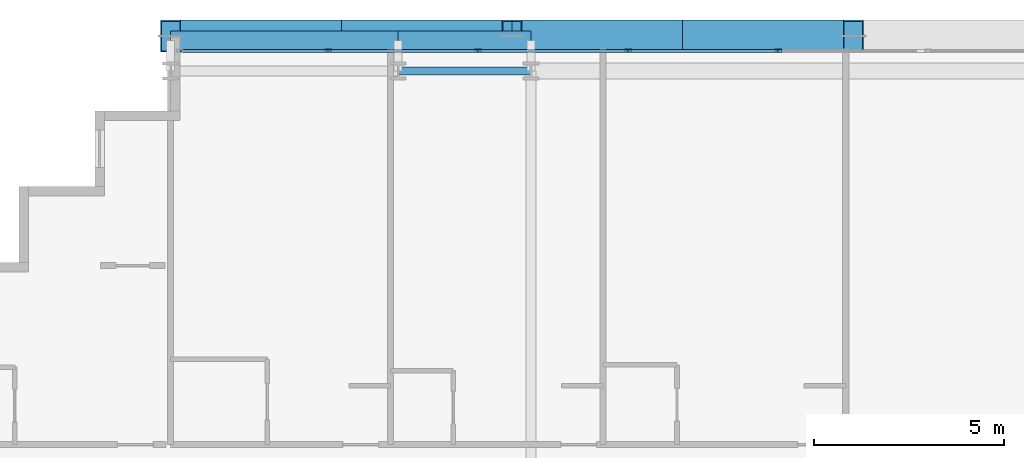
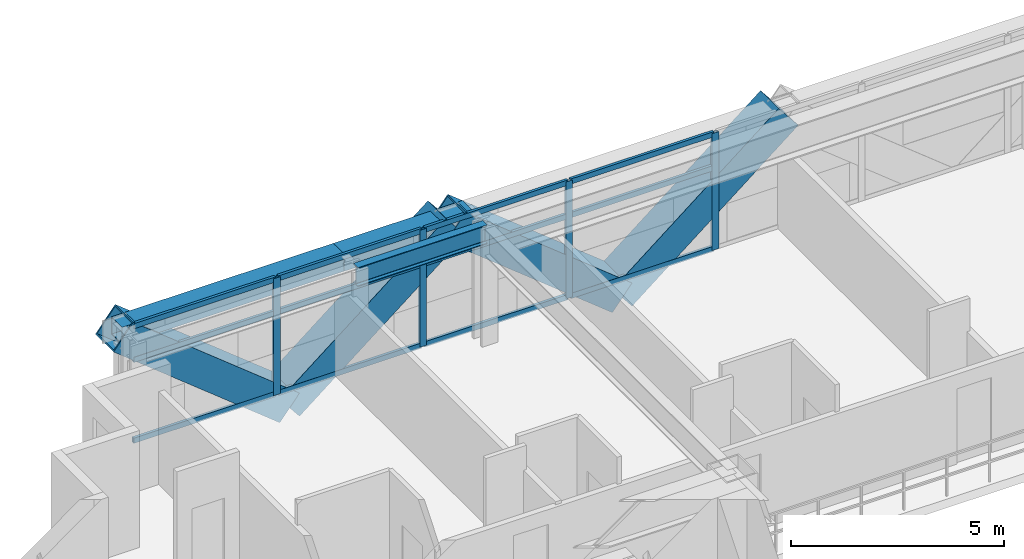
# One storey, part 18 of 38: 20 members, 3 beams, 1 element without a shape of its own.
"""IFC4 building model written with IfcOpenShell, lengths in metres."""

import ifcopenshell
import ifcopenshell.guid

model = None  # the IFC model being written
_history = None  # IfcOwnerHistory: only IFC2X3 demands one
_inside = {}  # id of a spatial element -> (the spatial element, [elements in it])
_under = {}  # id of a project, library or spatial element -> (it, [spatial elements below it])
_declared = {}  # id of a project -> (the project, [libraries it declares])
_typed = {}  # id of a type object -> (the type object, [elements of that type])
_made_of = {}  # id of a material, layer set ... -> (it, [elements and type objects made of it])


def new_model(schema):
    """Start an empty IFC model of exactly this schema.

    Asked for "IFC4X3", IfcOpenShell would pick the latest addendum, in which some entities
    have other attributes; the version numbers below select the first issue.
    IFC2X3 requires an IfcOwnerHistory on every rooted entity: one is made here for all.
    """
    global model, _history
    if schema == "IFC4X3":
        model = ifcopenshell.file(schema_version=(4, 3, 0, 0))
    else:
        model = ifcopenshell.file(schema=schema)
    _inside.clear()
    _under.clear()
    _declared.clear()
    _typed.clear()
    _made_of.clear()
    _history = None
    if model.schema == "IFC2X3":
        org = make("IfcOrganization", Name="unknown")
        user = make(
            "IfcPersonAndOrganization",
            ThePerson=make("IfcPerson", FamilyName="unknown"),
            TheOrganization=org,
        )
        app = make(
            "IfcApplication",
            ApplicationDeveloper=org,
            Version="unknown",
            ApplicationFullName="unknown",
            ApplicationIdentifier="unknown",
        )
        _history = make(
            "IfcOwnerHistory",
            OwningUser=user,
            OwningApplication=app,
            ChangeAction="ADDED",
            CreationDate=0,
        )
    return model


def make(cls, **values):
    """One entity of the class cls with the attributes given. An attribute that is None is left unset."""
    return model.create_entity(
        cls, **{name: value for name, value in values.items() if value is not None}
    )


def rooted(cls, **values):
    """An entity with a GlobalId (a new one), such as an element, a storey or a relation."""
    return make(cls, GlobalId=ifcopenshell.guid.new(), OwnerHistory=_history, **values)


def si_unit(unit_type, name, prefix=None):
    """IfcSIUnit, for example si_unit("LENGTHUNIT", "METRE", prefix="MILLI")."""
    return make("IfcSIUnit", UnitType=unit_type, Prefix=prefix, Name=name)


def assignment(units):
    """IfcUnitAssignment: the units of a project."""
    return None if units is None else make("IfcUnitAssignment", Units=units)


def point(xyz):
    """IfcCartesianPoint."""
    return None if xyz is None else make("IfcCartesianPoint", Coordinates=xyz)


def direction(xyz):
    """IfcDirection."""
    return None if xyz is None else make("IfcDirection", DirectionRatios=xyz)


def frame(location, z_axis=None, x_axis=None):
    """IfcAxis2Placement3D, a coordinate frame: its origin and axes. An axis left out is left unset."""
    return make(
        "IfcAxis2Placement3D",
        Location=point(location),
        Axis=direction(z_axis),
        RefDirection=direction(x_axis),
    )


def frame_2d(location, x_axis=None):
    """IfcAxis2Placement2D, a coordinate frame in the plane: its origin and x axis."""
    return make(
        "IfcAxis2Placement2D", Location=point(location), RefDirection=direction(x_axis)
    )


def origin():
    """The frame at (0, 0, 0) with its axes left unset."""
    return frame((0.0, 0.0, 0.0))


def origin_2d():
    """The frame at (0, 0) in the plane with its x axis left unset."""
    return frame_2d((0.0, 0.0))


def place(relative_to, where):
    """IfcLocalPlacement: puts the frame where relative to a parent placement (None: the world)."""
    return make(
        "IfcLocalPlacement", PlacementRelTo=relative_to, RelativePlacement=where
    )


def context(
    kind, dimensions, precision=None, world=None, true_north=None, identifier=None
):
    """IfcGeometricRepresentationContext, for example the 3D "Model" context."""
    return make(
        "IfcGeometricRepresentationContext",
        ContextIdentifier=identifier,
        ContextType=kind,
        CoordinateSpaceDimension=dimensions,
        Precision=precision,
        WorldCoordinateSystem=world,
        TrueNorth=true_north,
    )


def subcontext(parent, identifier, kind, view, scale=None):
    """IfcGeometricRepresentationSubContext, for example "Body" below "Model"."""
    return make(
        "IfcGeometricRepresentationSubContext",
        ContextIdentifier=identifier,
        ContextType=kind,
        ParentContext=parent,
        TargetScale=scale,
        TargetView=view,
    )


def project(units=None, contexts=None):
    """IfcProject with its units and contexts."""
    return rooted(
        "IfcProject",
        Name="project",
        RepresentationContexts=contexts,
        UnitsInContext=assignment(units),
    )


def spatial(cls, under=None, at=None, **own):
    """A site, building, storey or space (cls), placed at a placement, below another one or the project."""
    s = rooted(cls, ObjectPlacement=at, **own)
    if under is not None:
        _under.setdefault(under.id(), (under, []))[1].append(s)
    return s


def profile(cls, at=None, kind="AREA", **sizes):
    """A parametric profile (cls). Its sizes go by their IFC names, for example OverallWidth=200.0."""
    return make(cls, ProfileType=kind, Position=at, **sizes)


def hollow_rectangle(**sizes):
    """IfcRectangleHollowProfileDef."""
    return profile("IfcRectangleHollowProfileDef", **sizes)


def i_section(**sizes):
    """IfcIShapeProfileDef."""
    return profile("IfcIShapeProfileDef", **sizes)


def extrude(swept, where, along, depth):
    """IfcExtrudedAreaSolid: the profile swept, set in the frame where, extruded along a direction by depth."""
    return make(
        "IfcExtrudedAreaSolid",
        SweptArea=swept,
        Position=where,
        ExtrudedDirection=direction(along),
        Depth=depth,
    )


def shape(context_of_items, identifier, shape_type, items):
    """IfcShapeRepresentation: the items that make up one representation, for example the "Body"."""
    return make(
        "IfcShapeRepresentation",
        ContextOfItems=context_of_items,
        RepresentationIdentifier=identifier,
        RepresentationType=shape_type,
        Items=items,
    )


def source(mapping_origin, context_of_items, identifier, shape_type, items):
    """IfcRepresentationMap: a shape defined once, which mapped items show again and again."""
    return make(
        "IfcRepresentationMap",
        MappingOrigin=mapping_origin,
        MappedRepresentation=shape(context_of_items, identifier, shape_type, items),
    )


def transform(
    local_origin,
    x_axis=None,
    y_axis=None,
    z_axis=None,
    scale=None,
    scale2=None,
    scale3=None,
    uniform=True,
):
    """IfcCartesianTransformationOperator3D, or its non-uniform kind. x_axis, y_axis, z_axis: its Axis1, 2, 3."""
    if uniform:
        return make(
            "IfcCartesianTransformationOperator3D",
            Axis1=direction(x_axis),
            Axis2=direction(y_axis),
            LocalOrigin=point(local_origin),
            Scale=scale,
            Axis3=direction(z_axis),
        )
    return make(
        "IfcCartesianTransformationOperator3DnonUniform",
        Axis1=direction(x_axis),
        Axis2=direction(y_axis),
        LocalOrigin=point(local_origin),
        Scale=scale,
        Axis3=direction(z_axis),
        Scale2=scale2,
        Scale3=scale3,
    )


def mapped(mapping_source, mapping_target):
    """IfcMappedItem: shows the shape of a source again, moved by a transform."""
    return make(
        "IfcMappedItem", MappingSource=mapping_source, MappingTarget=mapping_target
    )


def material(Name=None, Category=None):
    """IfcMaterial."""
    return make("IfcMaterial", Name=Name, Category=Category)


def layer(
    of_material, thickness, ventilated=None, Name=None, Category=None, Priority=None
):
    """IfcMaterialLayer: one layer of a wall or slab, of a material (None: an air gap)."""
    return make(
        "IfcMaterialLayer",
        Material=of_material,
        LayerThickness=thickness,
        IsVentilated=ventilated,
        Name=Name,
        Category=Category,
        Priority=Priority,
    )


def layer_set(layers, Name=None):
    """IfcMaterialLayerSet."""
    return make("IfcMaterialLayerSet", MaterialLayers=layers, LayerSetName=Name)


def material_profile(
    of_material, cross_section, Name=None, Category=None, Priority=None
):
    """IfcMaterialProfile: a cross section and its material."""
    return make(
        "IfcMaterialProfile",
        Name=Name,
        Material=of_material,
        Profile=cross_section,
        Priority=Priority,
        Category=Category,
    )


def profile_set(profiles, Name=None, composite=None):
    """IfcMaterialProfileSet."""
    return make(
        "IfcMaterialProfileSet",
        Name=Name,
        MaterialProfiles=profiles,
        CompositeProfile=composite,
    )


def made_of(thing, what):
    """Note that an element or type object is made of a material, layer set ...; save() writes the relation."""
    if what is not None:
        _made_of.setdefault(what.id(), (what, []))[1].append(thing)
    return thing


def type_object(cls, material=None, **own):
    """A type object (cls), such as IfcWallType, which elements share."""
    return made_of(rooted(cls, **own), material)


def element(
    cls,
    number,
    at=None,
    inside=None,
    cuts=None,
    type_object=None,
    material=None,
    context=None,
    identifier="Body",
    shape_type=None,
    held_by="IfcProductDefinitionShape",
    body=None,
    shapes=None,
    **own,
):
    """One element of the class cls, such as IfcWall. Its Tag is "e" and its number.

    at: its placement. inside: the storey or other place that contains it. cuts: it is an
    opening in that element (IfcRelVoidsElement). A single representation is given by context,
    identifier, shape_type and body (its items); several are given by shapes. held_by: the class
    of the entity that holds the representations. save() writes the other relations.
    """
    e = rooted(cls, Tag="e%d" % number, ObjectPlacement=at, **own)
    if body is not None:
        shapes = [shape(context, identifier, shape_type, body)]
    if shapes is not None:
        e.Representation = make(held_by, Representations=shapes)
    if inside is not None:
        _inside.setdefault(inside.id(), (inside, []))[1].append(e)
    if cuts is not None:
        rooted(
            "IfcRelVoidsElement", RelatingBuildingElement=cuts, RelatedOpeningElement=e
        )
    if type_object is not None:
        _typed.setdefault(type_object.id(), (type_object, []))[1].append(e)
    return made_of(e, material)


def aggregate(whole, parts):
    """IfcRelAggregates: a whole, such as a stair, and the parts it consists of."""
    return rooted("IfcRelAggregates", RelatingObject=whole, RelatedObjects=parts)


def save(model, path):
    """Write the relations noted so far, then the file.

    IfcRelAggregates (storeys below a building ...), IfcRelContainedInSpatialStructure (elements
    in a storey), IfcRelDefinesByType, IfcRelAssociatesMaterial and IfcRelDeclares: one each for
    every whole, place, type object, material and project.
    """
    for whole, parts in _under.values():
        aggregate(whole, parts)
    for where, things in _inside.values():
        rooted(
            "IfcRelContainedInSpatialStructure",
            RelatedElements=things,
            RelatingStructure=where,
        )
    for kind, things in _typed.values():
        rooted("IfcRelDefinesByType", RelatedObjects=things, RelatingType=kind)
    for what, things in _made_of.values():
        rooted("IfcRelAssociatesMaterial", RelatedObjects=things, RelatingMaterial=what)
    for by, libraries in _declared.values():
        rooted("IfcRelDeclares", RelatingContext=by, RelatedDefinitions=libraries)
    model.write(path)


model = new_model("IFC4")

# Units and contexts
model_context = context("Model", 3, precision=1e-05, world=origin(), true_north=direction((0.0, 1.0)))
body_context = subcontext(model_context, "Body", "Model", "MODEL_VIEW")
ifc_project = project(units=[si_unit("LENGTHUNIT", "METRE"), si_unit("AREAUNIT", "SQUARE_METRE"), si_unit("VOLUMEUNIT", "CUBIC_METRE"), si_unit("PLANEANGLEUNIT", "RADIAN"), si_unit("MASSUNIT", "GRAM", prefix="KILO")], contexts=[model_context])

# Site, building, storey
site_placement = place(None, origin())
site = spatial("IfcSite", under=ifc_project, at=site_placement, CompositionType="ELEMENT")
building_placement = place(site_placement, origin())
building = spatial("IfcBuilding", under=site, at=building_placement, Name="Ocotamira Hotel", CompositionType="ELEMENT")
storey_placement = place(building_placement, frame((0.0, 0.0, 45.60009765625)))
storey = spatial("IfcBuildingStorey", under=building, at=storey_placement, Name="L10", CompositionType="ELEMENT", Elevation=45.60009765625)

# Beams
ifc_material_1 = material(Name="Steel ASTM A992 Grade 50", Category="steel")
ifc_material_profile_1 = material_profile(ifc_material_1, i_section(OverallWidth=0.2099609375, OverallDepth=0.537109375, WebThickness=0.010986328125, FlangeThickness=0.017333984375, FilletRadius=0.012939453125, at=origin_2d()), Name="W21X68")
ifc_profile_set_1 = profile_set([ifc_material_profile_1], Name="Steel ASTM A992 Grade 50")
beam_type_1 = type_object("IfcBeamType", Name="BM-SEC-W21X68", PredefinedType="JOIST", material=ifc_profile_set_1)
shared_shape_1 = source(origin(), body_context, "Body", "SweptSolid", [
    extrude(i_section(OverallWidth=0.2099609375, OverallDepth=0.537109375, WebThickness=0.010986328125, FlangeThickness=0.017333984375, FilletRadius=0.012939453125, at=origin_2d()), origin(), (0.0, 0.0, 1.0), 3.5),
])
beam_1_placement = place(storey_placement, frame((20.0, 49.050048828125, 3.081298828125), z_axis=(1.0, 0.0, 0.0), x_axis=(0.0, 1.0, 0.0)))
element("IfcBeam", 1, at=beam_1_placement, inside=storey, type_object=beam_type_1, Name="L10 Girder Y49.05 X20-23.5", PredefinedType="JOIST", context=body_context, shape_type="MappedRepresentation", body=[
    mapped(shared_shape_1, transform((0.0, 0.0, 0.0), scale=1.0)),
])
ifc_material_2 = material(Name="Steel ASTM A500 Grade C", Category="steel")
ifc_material_profile_2 = material_profile(ifc_material_2, hollow_rectangle(XDim=0.5, YDim=0.5, WallThickness=0.02001953125, at=origin_2d()), Name="HSS500X500X20")
ifc_profile_set_2 = profile_set([ifc_material_profile_2], Name="Steel ASTM A500 Grade C")
beam_type_2 = type_object("IfcBeamType", Name="BM-SPAN-HSS500", PredefinedType="USERDEFINED", material=ifc_profile_set_2)
shared_shape_2 = source(origin(), body_context, "Body", "SweptSolid", [
    extrude(hollow_rectangle(XDim=0.5, YDim=0.5, WallThickness=0.02001953125, at=origin_2d()), origin(), (0.0, 0.0, 1.0), 6.0),
])
beam_2_placement = place(storey_placement, frame((14.0, 49.85009765625, 3.099853515625), z_axis=(1.0, 0.0, 0.0), x_axis=(0.0, 1.0, 0.0)))
element("IfcBeam", 2, at=beam_2_placement, inside=storey, type_object=beam_type_2, Name="L10 Edge Spandrel N X14-20", ObjectType="SPANDREL", PredefinedType="USERDEFINED", context=body_context, shape_type="MappedRepresentation", body=[
    mapped(shared_shape_2, transform((0.0, 0.0, 0.0), scale=1.0)),
])
shared_shape_3 = source(origin(), body_context, "Body", "SweptSolid", [
    extrude(hollow_rectangle(XDim=0.5, YDim=0.5, WallThickness=0.02001953125, at=origin_2d()), origin(), (0.0, 0.0, 1.0), 3.5),
])
beam_3_placement = place(storey_placement, frame((20.0, 49.85009765625, 3.099853515625), z_axis=(1.0, 0.0, 0.0), x_axis=(0.0, 1.0, 0.0)))
element("IfcBeam", 3, at=beam_3_placement, inside=storey, type_object=beam_type_2, Name="L10 Edge Spandrel N X20-23.5", ObjectType="SPANDREL", PredefinedType="USERDEFINED", context=body_context, shape_type="MappedRepresentation", body=[
    mapped(shared_shape_3, transform((0.0, 0.0, 0.0), scale=1.0)),
])

# Members
ifc_material_3 = material(Name="Pale-metal coated steel ASTM A913 Grade 65", Category="steel")
ifc_material_profile_3 = material_profile(ifc_material_3, hollow_rectangle(XDim=0.85009765625, YDim=0.85009765625, WallThickness=0.035888671875, at=origin_2d()), Name="BOX850X850X36")
ifc_profile_set_3 = profile_set([ifc_material_profile_3], Name="Pale-metal coated steel ASTM A913 Grade 65")
member_type_1 = type_object("IfcMemberType", Name="MEM-EXO-BOX850", PredefinedType="BRACE", material=ifc_profile_set_3)
shared_shape_4 = source(origin(), body_context, "Body", "SweptSolid", [
    extrude(hollow_rectangle(XDim=0.85009765625, YDim=0.85009765625, WallThickness=0.035888671875, at=origin_2d()), origin(), (0.0, 0.0, 1.0), 5.7626953125),
])
for number, where, z_axis, x_axis, name in (
    (4, (18.5, 49.969970703125, -0.5), (-0.780881208953, 0.0, 0.624679547852), (0.0, -1.0, 0.0), "L10 Exoskeleton Diagrid N0.1"),
    (5, (18.5, 49.969970703125, -0.5), (0.780881208953, 0.0, 0.624679547852), (0.0, 1.0, 0.0), "L10 Exoskeleton Diagrid N0.2"),
    (6, (27.5, 49.969970703125, -0.5), (-0.780881208953, 0.0, 0.624679547852), (0.0, -1.0, 0.0), "L10 Exoskeleton Diagrid N1.1"),
    (7, (27.5, 49.969970703125, -0.5), (0.780881208953, 0.0, 0.624679547852), (0.0, 1.0, 0.0), "L10 Exoskeleton Diagrid N1.2"),
):
    element("IfcMember", number, at=place(storey_placement, frame(where, z_axis=z_axis, x_axis=x_axis)), inside=storey, type_object=member_type_1, Name=name, PredefinedType="BRACE", context=body_context, shape_type="MappedRepresentation", body=[
        mapped(shared_shape_4, transform((0.0, 0.0, 0.0), scale=1.0)),
    ])

# Curtain wall, members
ifc_material_4 = material(Name="Anodised pale-metal aluminium and solar glass", Category="aluminium")
ifc_layer = layer(ifc_material_4, 0.179931640625)
ifc_layer_set = layer_set([ifc_layer], Name="Anodised pale-metal aluminium and solar glass")
curtain_wall_type = type_object("IfcCurtainWallType", Name="CW-SYS2-Z1", PredefinedType="NOTDEFINED", material=ifc_layer_set)
curtain_wall_placement = place(storey_placement, origin())
curtain_wall = element("IfcCurtainWall", 8, at=curtain_wall_placement, inside=storey, type_object=curtain_wall_type, Name="L10 Curtain Wall CW-2 CW-L10-N", PredefinedType="NOTDEFINED")
ifc_material_5 = material(Name="Anodised pale-metal aluminium 6063-T6", Category="aluminium")
ifc_material_profile_4 = material_profile(ifc_material_5, hollow_rectangle(XDim=0.080078125, YDim=0.179931640625, WallThickness=0.006103515625, at=origin_2d()), Name="HSS180X80X6")
ifc_profile_set_4 = profile_set([ifc_material_profile_4], Name="Anodised pale-metal aluminium 6063-T6")
member_type_2 = type_object("IfcMemberType", Name="CWM-180X75", PredefinedType="MULLION", material=ifc_profile_set_4)
shared_shape_5 = source(origin(), body_context, "Body", "SweptSolid", [
    extrude(hollow_rectangle(XDim=0.080078125, YDim=0.179931640625, WallThickness=0.006103515625, at=origin_2d()), origin(), (0.0, 0.0, 1.0), 3.349853515625),
])
member_1_placement = place(storey_placement, frame((18.155517578125, 49.580078125, 0.0), z_axis=(0.0, 0.0, 1.0), x_axis=(0.0, 1.0, 0.0)))
member_1 = element("IfcMember", 9, at=member_1_placement, type_object=member_type_2, Name="CW-2 mullion 2", PredefinedType="MULLION", context=body_context, shape_type="MappedRepresentation", body=[
    mapped(shared_shape_5, transform((0.0, 0.0, 0.0), scale=1.0)),
])
member_2_placement = place(storey_placement, frame((22.111083984375, 49.580078125, 0.0), z_axis=(0.0, 0.0, 1.0), x_axis=(0.0, 1.0, 0.0)))
member_2 = element("IfcMember", 10, at=member_2_placement, type_object=member_type_2, Name="CW-2 mullion 3", PredefinedType="MULLION", context=body_context, shape_type="MappedRepresentation", body=[
    mapped(shared_shape_5, transform((0.0, 0.0, 0.0), scale=1.0)),
])
member_3_placement = place(storey_placement, frame((26.066650390625, 49.580078125, 0.0), z_axis=(0.0, 0.0, 1.0), x_axis=(0.0, 1.0, 0.0)))
member_3 = element("IfcMember", 11, at=member_3_placement, type_object=member_type_2, Name="CW-2 mullion 4", PredefinedType="MULLION", context=body_context, shape_type="MappedRepresentation", body=[
    mapped(shared_shape_5, transform((0.0, 0.0, 0.0), scale=1.0)),
])
member_4_placement = place(storey_placement, frame((30.022216796875, 49.580078125, 0.0), z_axis=(0.0, 0.0, 1.0), x_axis=(0.0, 1.0, 0.0)))
member_4 = element("IfcMember", 12, at=member_4_placement, type_object=member_type_2, Name="CW-2 mullion 5", PredefinedType="MULLION", context=body_context, shape_type="MappedRepresentation", body=[
    mapped(shared_shape_5, transform((0.0, 0.0, 0.0), scale=1.0)),
])
ifc_material_profile_5 = material_profile(ifc_material_5, hollow_rectangle(XDim=0.074951171875, YDim=0.14990234375, WallThickness=0.006103515625, at=origin_2d()), Name="HSS150X75X6")
ifc_profile_set_5 = profile_set([ifc_material_profile_5], Name="Anodised pale-metal aluminium 6063-T6")
member_type_3 = type_object("IfcMemberType", Name="CWT-150X75", PredefinedType="USERDEFINED", material=ifc_profile_set_5)
shared_shape_6 = source(origin(), body_context, "Body", "SweptSolid", [
    extrude(hollow_rectangle(XDim=0.074951171875, YDim=0.14990234375, WallThickness=0.006103515625, at=origin_2d()), origin(), (0.0, 0.0, 1.0), 3.83544921875),
])
member_5_placement = place(storey_placement, frame((14.280029296875, 49.580078125, 0.037353515625), z_axis=(1.0, 0.0, 0.0), x_axis=(0.0, 1.0, 0.0)))
member_5 = element("IfcMember", 13, at=member_5_placement, type_object=member_type_3, Name="CW-2 transom 1.1", ObjectType="TRANSOM", PredefinedType="USERDEFINED", context=body_context, shape_type="MappedRepresentation", body=[
    mapped(shared_shape_6, transform((0.0, 0.0, 0.0), scale=1.0)),
])
member_6_placement = place(storey_placement, frame((14.280029296875, 49.580078125, 2.349853515625), z_axis=(1.0, 0.0, 0.0), x_axis=(0.0, 1.0, 0.0)))
member_6 = element("IfcMember", 14, at=member_6_placement, type_object=member_type_3, Name="CW-2 transom 1.2", ObjectType="TRANSOM", PredefinedType="USERDEFINED", context=body_context, shape_type="MappedRepresentation", body=[
    mapped(shared_shape_6, transform((0.0, 0.0, 0.0), scale=1.0)),
])
member_7_placement = place(storey_placement, frame((14.280029296875, 49.580078125, 3.3125), z_axis=(1.0, 0.0, 0.0), x_axis=(0.0, 1.0, 0.0)))
member_7 = element("IfcMember", 15, at=member_7_placement, type_object=member_type_3, Name="CW-2 transom 1.3", ObjectType="TRANSOM", PredefinedType="USERDEFINED", context=body_context, shape_type="MappedRepresentation", body=[
    mapped(shared_shape_6, transform((0.0, 0.0, 0.0), scale=1.0)),
])
shared_shape_7 = source(origin(), body_context, "Body", "SweptSolid", [
    extrude(hollow_rectangle(XDim=0.074951171875, YDim=0.14990234375, WallThickness=0.006103515625, at=origin_2d()), origin(), (0.0, 0.0, 1.0), 3.87548828125),
])
member_8_placement = place(storey_placement, frame((18.195556640625, 49.580078125, 0.037353515625), z_axis=(1.0, 0.0, 0.0), x_axis=(0.0, 1.0, 0.0)))
member_8 = element("IfcMember", 16, at=member_8_placement, type_object=member_type_3, Name="CW-2 transom 2.1", ObjectType="TRANSOM", PredefinedType="USERDEFINED", context=body_context, shape_type="MappedRepresentation", body=[
    mapped(shared_shape_7, transform((0.0, 0.0, 0.0), scale=1.0)),
])
member_9_placement = place(storey_placement, frame((18.195556640625, 49.580078125, 2.349853515625), z_axis=(1.0, 0.0, 0.0), x_axis=(0.0, 1.0, 0.0)))
member_9 = element("IfcMember", 17, at=member_9_placement, type_object=member_type_3, Name="CW-2 transom 2.2", ObjectType="TRANSOM", PredefinedType="USERDEFINED", context=body_context, shape_type="MappedRepresentation", body=[
    mapped(shared_shape_7, transform((0.0, 0.0, 0.0), scale=1.0)),
])
member_10_placement = place(storey_placement, frame((18.195556640625, 49.580078125, 3.3125), z_axis=(1.0, 0.0, 0.0), x_axis=(0.0, 1.0, 0.0)))
member_10 = element("IfcMember", 18, at=member_10_placement, type_object=member_type_3, Name="CW-2 transom 2.3", ObjectType="TRANSOM", PredefinedType="USERDEFINED", context=body_context, shape_type="MappedRepresentation", body=[
    mapped(shared_shape_7, transform((0.0, 0.0, 0.0), scale=1.0)),
])
member_11_placement = place(storey_placement, frame((22.151123046875, 49.580078125, 0.037353515625), z_axis=(1.0, 0.0, 0.0), x_axis=(0.0, 1.0, 0.0)))
member_11 = element("IfcMember", 19, at=member_11_placement, type_object=member_type_3, Name="CW-2 transom 3.1", ObjectType="TRANSOM", PredefinedType="USERDEFINED", context=body_context, shape_type="MappedRepresentation", body=[
    mapped(shared_shape_7, transform((0.0, 0.0, 0.0), scale=1.0)),
])
member_12_placement = place(storey_placement, frame((22.151123046875, 49.580078125, 2.349853515625), z_axis=(1.0, 0.0, 0.0), x_axis=(0.0, 1.0, 0.0)))
member_12 = element("IfcMember", 20, at=member_12_placement, type_object=member_type_3, Name="CW-2 transom 3.2", ObjectType="TRANSOM", PredefinedType="USERDEFINED", context=body_context, shape_type="MappedRepresentation", body=[
    mapped(shared_shape_7, transform((0.0, 0.0, 0.0), scale=1.0)),
])
member_13_placement = place(storey_placement, frame((22.151123046875, 49.580078125, 3.3125), z_axis=(1.0, 0.0, 0.0), x_axis=(0.0, 1.0, 0.0)))
member_13 = element("IfcMember", 21, at=member_13_placement, type_object=member_type_3, Name="CW-2 transom 3.3", ObjectType="TRANSOM", PredefinedType="USERDEFINED", context=body_context, shape_type="MappedRepresentation", body=[
    mapped(shared_shape_7, transform((0.0, 0.0, 0.0), scale=1.0)),
])
member_14_placement = place(storey_placement, frame((26.106689453125, 49.580078125, 0.037353515625), z_axis=(1.0, 0.0, 0.0), x_axis=(0.0, 1.0, 0.0)))
member_14 = element("IfcMember", 22, at=member_14_placement, type_object=member_type_3, Name="CW-2 transom 4.1", ObjectType="TRANSOM", PredefinedType="USERDEFINED", context=body_context, shape_type="MappedRepresentation", body=[
    mapped(shared_shape_7, transform((0.0, 0.0, 0.0), scale=1.0)),
])
member_15_placement = place(storey_placement, frame((26.106689453125, 49.580078125, 2.349853515625), z_axis=(1.0, 0.0, 0.0), x_axis=(0.0, 1.0, 0.0)))
member_15 = element("IfcMember", 23, at=member_15_placement, type_object=member_type_3, Name="CW-2 transom 4.2", ObjectType="TRANSOM", PredefinedType="USERDEFINED", context=body_context, shape_type="MappedRepresentation", body=[
    mapped(shared_shape_7, transform((0.0, 0.0, 0.0), scale=1.0)),
])
member_16_placement = place(storey_placement, frame((26.106689453125, 49.580078125, 3.3125), z_axis=(1.0, 0.0, 0.0), x_axis=(0.0, 1.0, 0.0)))
member_16 = element("IfcMember", 24, at=member_16_placement, type_object=member_type_3, Name="CW-2 transom 4.3", ObjectType="TRANSOM", PredefinedType="USERDEFINED", context=body_context, shape_type="MappedRepresentation", body=[
    mapped(shared_shape_7, transform((0.0, 0.0, 0.0), scale=1.0)),
])
aggregate(curtain_wall, [member_1, member_2, member_3, member_4, member_5, member_6, member_7, member_8, member_9, member_10, member_11, member_12, member_13, member_14, member_15, member_16])

save(model, "model.ifc")
